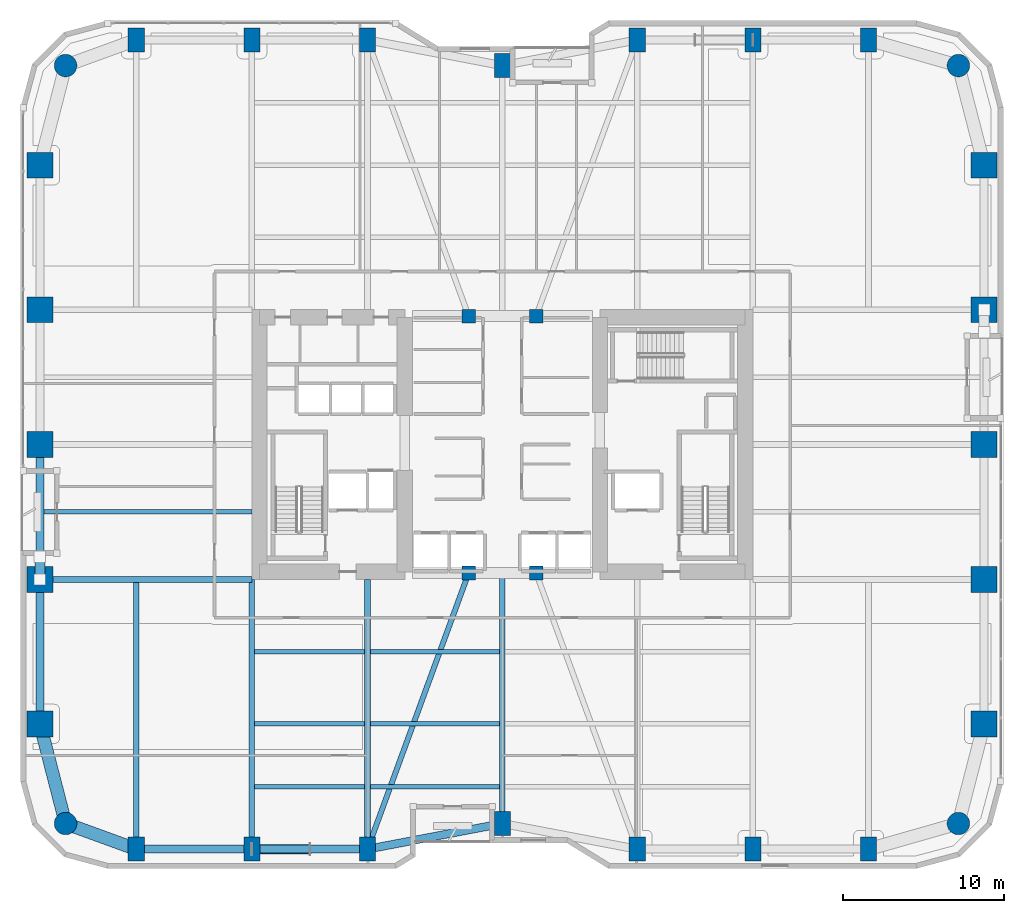
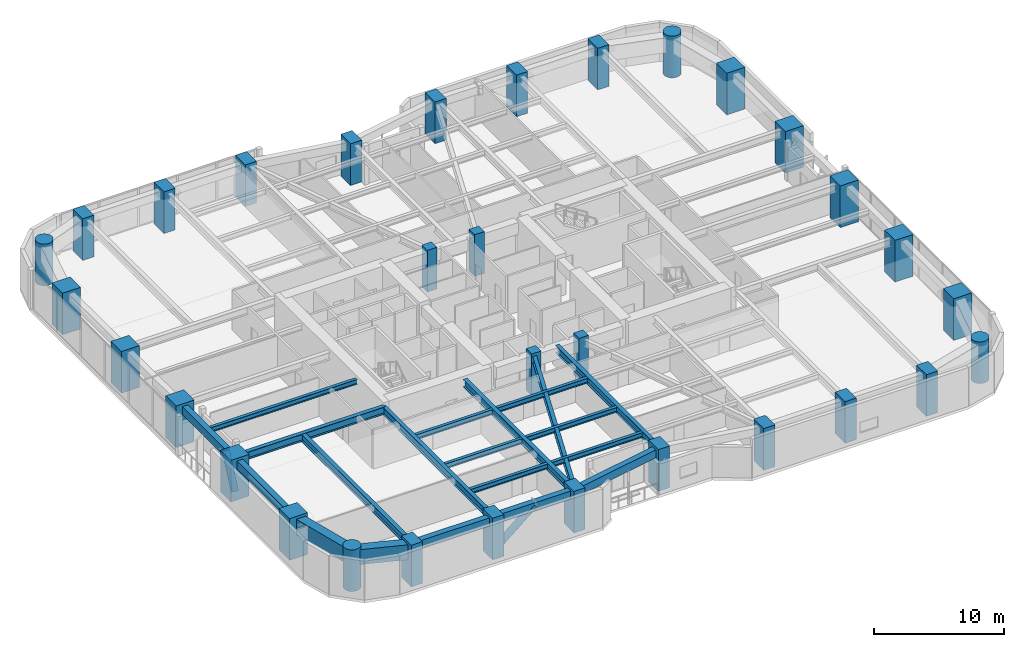
# One storey, part 1 of 28: 32 columns, 20 beams, 2 members.
"""IFC4 building model written with IfcOpenShell, lengths in metres."""

from ifc_helpers import new_model, si_unit, direction, frame, origin, origin_2d, place, context, subcontext, project, spatial, rectangle, circle, hollow_circle, i_section, extrude, material, material_profile, profile_set, type_object, element, save


model = new_model("IFC4")

# Units and contexts
model_context = context("Model", 3, precision=1e-05, world=origin(), true_north=direction((0.0, 1.0)))
body_context = subcontext(model_context, "Body", "Model", "MODEL_VIEW")
ifc_project = project(units=[si_unit("LENGTHUNIT", "METRE"), si_unit("AREAUNIT", "SQUARE_METRE"), si_unit("VOLUMEUNIT", "CUBIC_METRE"), si_unit("PLANEANGLEUNIT", "RADIAN"), si_unit("MASSUNIT", "GRAM", prefix="KILO")], contexts=[model_context])

# Site, building, storey
site_placement = place(None, origin())
site = spatial("IfcSite", under=ifc_project, at=site_placement, CompositionType="ELEMENT")
building_placement = place(site_placement, origin())
building = spatial("IfcBuilding", under=site, at=building_placement, Name="Kiyonajd Concourse Tower", CompositionType="ELEMENT")
storey_placement = place(building_placement, frame((0.0, 0.0, 41.10009765625)))
storey = spatial("IfcBuildingStorey", under=building, at=storey_placement, Name="L11", CompositionType="ELEMENT", Elevation=41.10009765625)

# Columns
ifc_material_1 = material(Name="Concrete C80/95", Category="concrete")
ifc_material_profile_1 = material_profile(ifc_material_1, rectangle(XDim=1.0, YDim=1.5, at=origin_2d()), Name="RC-1500x1000")
ifc_profile_set_1 = profile_set([ifc_material_profile_1], Name="Concrete C80/95")
column_type_1 = type_object("IfcColumnType", Name="CL-BLADE-1500", PredefinedType="COLUMN", material=ifc_profile_set_1)
for number, where, z_axis, x_axis, name in (
    (1, (25.199951171875, 10.800048828125, 0.0), (0.0, 0.0, 1.0), (1.0, 0.0, 0.0), "L11 Perimeter Bundled Tube Column"),
    (2, (25.199951171875, 61.199951171875, 0.0), (0.0, 0.0, 1.0), (1.0, 0.0, 0.0), "L11 Perimeter Bundled Tube Column"),
    (3, (32.39990234375, 10.800048828125, 0.0), (0.0, 0.0, 1.0), (1.0, 0.0, 0.0), "L11 Perimeter Bundled Tube Column"),
    (4, (32.39990234375, 61.199951171875, 0.0), (0.0, 0.0, 1.0), (1.0, 0.0, 0.0), "L11 Perimeter Bundled Tube Column"),
    (5, (39.60009765625, 10.800048828125, 0.0), (0.0, 0.0, 1.0), (1.0, 0.0, 0.0), "L11 Perimeter Bundled Tube Column"),
    (6, (39.60009765625, 61.199951171875, 0.0), (0.0, 0.0, 1.0), (1.0, 0.0, 0.0), "L11 Perimeter Bundled Tube Column"),
    (7, (48.0, 12.39990234375, 0.0), (0.0, 0.0, 1.0), (1.0, 0.0, 0.0), "L11 Perimeter Bundled Tube Column"),
    (8, (48.0, 59.60009765625, 0.0), (0.0, 0.0, 1.0), (1.0, 0.0, 0.0), "L11 Perimeter Bundled Tube Column"),
    (9, (56.39990234375, 10.800048828125, 0.0), (0.0, 0.0, 1.0), (1.0, 0.0, 0.0), "L11 Perimeter Bundled Tube Column"),
    (10, (56.39990234375, 61.199951171875, 0.0), (0.0, 0.0, 1.0), (1.0, 0.0, 0.0), "L11 Perimeter Bundled Tube Column"),
    (11, (63.60009765625, 10.800048828125, 0.0), (0.0, 0.0, 1.0), (1.0, 0.0, 0.0), "L11 Perimeter Bundled Tube Column"),
    (12, (63.60009765625, 61.199951171875, 0.0), (0.0, 0.0, 1.0), (1.0, 0.0, 0.0), "L11 Perimeter Bundled Tube Column"),
    (13, (70.800048828125, 10.800048828125, 0.0), (0.0, 0.0, 1.0), (1.0, 0.0, 0.0), "L11 Perimeter Bundled Tube Column"),
    (14, (70.800048828125, 61.199951171875, 0.0), (0.0, 0.0, 1.0), (1.0, 0.0, 0.0), "L11 Perimeter Bundled Tube Column"),
):
    element("IfcColumn", number, at=place(storey_placement, frame(where, z_axis=z_axis, x_axis=x_axis)), inside=storey, type_object=column_type_1, Name=name, PredefinedType="COLUMN", context=body_context, shape_type="SweptSolid", body=[
        extrude(rectangle(XDim=1.0, YDim=1.5, at=origin_2d()), origin(), (0.0, 0.0, 1.0), 3.89990234375),
    ])
ifc_material_profile_2 = material_profile(ifc_material_1, circle(Radius=0.699951171875, at=origin_2d()), Name="RCC-D1400")
ifc_profile_set_2 = profile_set([ifc_material_profile_2], Name="Concrete C80/95")
column_type_2 = type_object("IfcColumnType", Name="CL-RND-1400", PredefinedType="COLUMN", material=ifc_profile_set_2)
for number, where, z_axis, x_axis, name in (
    (15, (20.800048828125, 12.39990234375, 0.0), (0.0, 0.0, 1.0), (1.0, 0.0, 0.0), "L11 Bundled Tube Corner Column South West"),
    (16, (76.39990234375, 12.39990234375, 0.0), (0.0, 0.0, 1.0), (1.0, 0.0, 0.0), "L11 Bundled Tube Corner Column South East"),
    (17, (76.39990234375, 59.60009765625, 0.0), (0.0, 0.0, 1.0), (1.0, 0.0, 0.0), "L11 Bundled Tube Corner Column North East"),
    (18, (20.800048828125, 59.60009765625, 0.0), (0.0, 0.0, 1.0), (1.0, 0.0, 0.0), "L11 Bundled Tube Corner Column North West"),
):
    element("IfcColumn", number, at=place(storey_placement, frame(where, z_axis=z_axis, x_axis=x_axis)), inside=storey, type_object=column_type_2, Name=name, PredefinedType="COLUMN", context=body_context, shape_type="SweptSolid", body=[
        extrude(circle(Radius=0.699951171875, at=origin_2d()), origin(), (0.0, 0.0, 1.0), 3.89990234375),
    ])
ifc_material_profile_3 = material_profile(ifc_material_1, rectangle(XDim=1.60009765625, YDim=1.60009765625, at=origin_2d()), Name="RC-1600x1600")
ifc_profile_set_3 = profile_set([ifc_material_profile_3], Name="Concrete C80/95")
column_type_3 = type_object("IfcColumnType", Name="CL-TUBE-1600", PredefinedType="COLUMN", material=ifc_profile_set_3)
for number, where, z_axis, x_axis, name in (
    (19, (19.199951171875, 18.60009765625, 0.0), (0.0, 0.0, 1.0), (1.0, 0.0, 0.0), "L11 Perimeter Bundled Tube Column"),
    (20, (78.0, 18.60009765625, 0.0), (0.0, 0.0, 1.0), (1.0, 0.0, 0.0), "L11 Perimeter Bundled Tube Column"),
    (21, (19.199951171875, 27.60009765625, 0.0), (0.0, 0.0, 1.0), (1.0, 0.0, 0.0), "L11 Perimeter Bundled Tube Column"),
    (22, (78.0, 27.60009765625, 0.0), (0.0, 0.0, 1.0), (1.0, 0.0, 0.0), "L11 Perimeter Bundled Tube Column"),
    (23, (19.199951171875, 36.0, 0.0), (0.0, 0.0, 1.0), (1.0, 0.0, 0.0), "L11 Perimeter Bundled Tube Column"),
    (24, (78.0, 36.0, 0.0), (0.0, 0.0, 1.0), (1.0, 0.0, 0.0), "L11 Perimeter Bundled Tube Column"),
    (25, (19.199951171875, 44.39990234375, 0.0), (0.0, 0.0, 1.0), (1.0, 0.0, 0.0), "L11 Perimeter Bundled Tube Column"),
    (26, (78.0, 44.39990234375, 0.0), (0.0, 0.0, 1.0), (1.0, 0.0, 0.0), "L11 Perimeter Bundled Tube Column"),
    (27, (19.199951171875, 53.39990234375, 0.0), (0.0, 0.0, 1.0), (1.0, 0.0, 0.0), "L11 Perimeter Bundled Tube Column"),
    (28, (78.0, 53.39990234375, 0.0), (0.0, 0.0, 1.0), (1.0, 0.0, 0.0), "L11 Perimeter Bundled Tube Column"),
):
    element("IfcColumn", number, at=place(storey_placement, frame(where, z_axis=z_axis, x_axis=x_axis)), inside=storey, type_object=column_type_3, Name=name, PredefinedType="COLUMN", context=body_context, shape_type="SweptSolid", body=[
        extrude(rectangle(XDim=1.60009765625, YDim=1.60009765625, at=origin_2d()), origin(), (0.0, 0.0, 1.0), 3.89990234375),
    ])
ifc_material_2 = material(Name="Concrete C60/75", Category="concrete")
ifc_material_profile_4 = material_profile(ifc_material_2, rectangle(XDim=0.85009765625, YDim=0.85009765625, at=origin_2d()), Name="RC-850x850")
ifc_profile_set_4 = profile_set([ifc_material_profile_4], Name="Concrete C60/75")
column_type_4 = type_object("IfcColumnType", Name="CL-TUBE-850", PredefinedType="COLUMN", material=ifc_profile_set_4)
for number, where, z_axis, x_axis, name in (
    (29, (45.89990234375, 28.0, 0.0), (0.0, 0.0, 1.0), (1.0, 0.0, 0.0), "L11 Core Tie Column South West"),
    (30, (50.10009765625, 28.0, 0.0), (0.0, 0.0, 1.0), (1.0, 0.0, 0.0), "L11 Core Tie Column South East"),
    (31, (45.89990234375, 44.0, 0.0), (0.0, 0.0, 1.0), (1.0, 0.0, 0.0), "L11 Core Tie Column North West"),
    (32, (50.10009765625, 44.0, 0.0), (0.0, 0.0, 1.0), (1.0, 0.0, 0.0), "L11 Core Tie Column North East"),
):
    element("IfcColumn", number, at=place(storey_placement, frame(where, z_axis=z_axis, x_axis=x_axis)), inside=storey, type_object=column_type_4, Name=name, PredefinedType="COLUMN", context=body_context, shape_type="SweptSolid", body=[
        extrude(rectangle(XDim=0.85009765625, YDim=0.85009765625, at=origin_2d()), origin(), (0.0, 0.0, 1.0), 3.89990234375),
    ])

# Beams
ifc_material_3 = material(Name="Steel ASTM A992 Grade 50", Category="steel")
ifc_material_profile_5 = material_profile(ifc_material_3, i_section(OverallWidth=0.280029296875, OverallDepth=0.462890625, WebThickness=0.0107421875, FlangeThickness=0.017333984375, at=origin_2d()), Name="W460X113")
ifc_profile_set_5 = profile_set([ifc_material_profile_5], Name="Steel ASTM A992 Grade 50")
beam_type_1 = type_object("IfcBeamType", Name="BM-JST-460A", PredefinedType="JOIST", material=ifc_profile_set_5)
beam_1_placement = place(storey_placement, frame((32.577392578125, 14.699951171875, 3.408447265625), z_axis=(1.0, 0.0, 0.0), x_axis=(0.0, 1.0, 0.0)))
element("IfcBeam", 33, at=beam_1_placement, inside=storey, type_object=beam_type_1, Name="L11 Secondary Floor Joist", PredefinedType="JOIST", context=body_context, shape_type="SweptSolid", body=[
    extrude(i_section(OverallWidth=0.280029296875, OverallDepth=0.462890625, WebThickness=0.0107421875, FlangeThickness=0.017333984375, at=origin_2d()), origin(), (0.0, 0.0, 1.0), 6.84521484375),
])
beam_2_placement = place(storey_placement, frame((39.777587890625, 14.699951171875, 3.408447265625), z_axis=(1.0, 0.0, 0.0), x_axis=(0.0, 1.0, 0.0)))
element("IfcBeam", 34, at=beam_2_placement, inside=storey, type_object=beam_type_1, Name="L11 Secondary Floor Joist", PredefinedType="JOIST", context=body_context, shape_type="SweptSolid", body=[
    extrude(i_section(OverallWidth=0.280029296875, OverallDepth=0.462890625, WebThickness=0.0107421875, FlangeThickness=0.017333984375, at=origin_2d()), origin(), (0.0, 0.0, 1.0), 8.044921875),
])
beam_3_placement = place(storey_placement, frame((32.577392578125, 18.60009765625, 3.408447265625), z_axis=(1.0, 0.0, 0.0), x_axis=(0.0, 1.0, 0.0)))
element("IfcBeam", 35, at=beam_3_placement, inside=storey, type_object=beam_type_1, Name="L11 Secondary Floor Joist", PredefinedType="JOIST", context=body_context, shape_type="SweptSolid", body=[
    extrude(i_section(OverallWidth=0.280029296875, OverallDepth=0.462890625, WebThickness=0.0107421875, FlangeThickness=0.017333984375, at=origin_2d()), origin(), (0.0, 0.0, 1.0), 6.84521484375),
])
beam_4_placement = place(storey_placement, frame((39.777587890625, 18.60009765625, 3.408447265625), z_axis=(1.0, 0.0, 0.0), x_axis=(0.0, 1.0, 0.0)))
element("IfcBeam", 36, at=beam_4_placement, inside=storey, type_object=beam_type_1, Name="L11 Secondary Floor Joist", PredefinedType="JOIST", context=body_context, shape_type="SweptSolid", body=[
    extrude(i_section(OverallWidth=0.280029296875, OverallDepth=0.462890625, WebThickness=0.0107421875, FlangeThickness=0.017333984375, at=origin_2d()), origin(), (0.0, 0.0, 1.0), 8.044921875),
])
beam_5_placement = place(storey_placement, frame((32.577392578125, 23.10009765625, 3.408447265625), z_axis=(1.0, 0.0, 0.0), x_axis=(0.0, 1.0, 0.0)))
element("IfcBeam", 37, at=beam_5_placement, inside=storey, type_object=beam_type_1, Name="L11 Secondary Floor Joist", PredefinedType="JOIST", context=body_context, shape_type="SweptSolid", body=[
    extrude(i_section(OverallWidth=0.280029296875, OverallDepth=0.462890625, WebThickness=0.0107421875, FlangeThickness=0.017333984375, at=origin_2d()), origin(), (0.0, 0.0, 1.0), 6.84521484375),
])
beam_6_placement = place(storey_placement, frame((39.777587890625, 23.10009765625, 3.408447265625), z_axis=(1.0, 0.0, 0.0), x_axis=(0.0, 1.0, 0.0)))
element("IfcBeam", 38, at=beam_6_placement, inside=storey, type_object=beam_type_1, Name="L11 Secondary Floor Joist", PredefinedType="JOIST", context=body_context, shape_type="SweptSolid", body=[
    extrude(i_section(OverallWidth=0.280029296875, OverallDepth=0.462890625, WebThickness=0.0107421875, FlangeThickness=0.017333984375, at=origin_2d()), origin(), (0.0, 0.0, 1.0), 8.044921875),
])
beam_7_placement = place(storey_placement, frame((19.449951171875, 31.800048828125, 3.408447265625), z_axis=(1.0, 0.0, 0.0), x_axis=(0.0, 1.0, 0.0)))
element("IfcBeam", 39, at=beam_7_placement, inside=storey, type_object=beam_type_1, Name="L11 West Secondary Floor Joist", PredefinedType="JOIST", context=body_context, shape_type="SweptSolid", body=[
    extrude(i_section(OverallWidth=0.280029296875, OverallDepth=0.462890625, WebThickness=0.0107421875, FlangeThickness=0.017333984375, at=origin_2d()), origin(), (0.0, 0.0, 1.0), 12.949951171875),
])
ifc_material_4 = material(Name="Precast concrete C50/60", Category="concrete")
ifc_material_profile_6 = material_profile(ifc_material_4, rectangle(XDim=0.5, YDim=0.75, at=origin_2d()), Name="RCBM-500x750")
ifc_profile_set_6 = profile_set([ifc_material_profile_6], Name="Precast concrete C50/60")
beam_type_2 = type_object("IfcBeamType", Name="BM-SPAN-RC", PredefinedType="SPANDREL", material=ifc_profile_set_6)
beam_8_placement = place(storey_placement, frame((19.199951171875, 27.60009765625, 3.264892578125), z_axis=(0.0, -1.0, 0.0), x_axis=(1.0, 0.0, 0.0)))
element("IfcBeam", 40, at=beam_8_placement, inside=storey, type_object=beam_type_2, Name="L11 Perimeter Bundled Tube Spandrel", PredefinedType="SPANDREL", context=body_context, shape_type="SweptSolid", body=[
    extrude(rectangle(XDim=0.5, YDim=0.75, at=origin_2d()), origin(), (0.0, 0.0, 1.0), 9.0),
])
beam_9_placement = place(storey_placement, frame((25.199951171875, 10.800048828125, 3.264892578125), z_axis=(1.0, 0.0, 0.0), x_axis=(0.0, 1.0, 0.0)))
element("IfcBeam", 41, at=beam_9_placement, inside=storey, type_object=beam_type_2, Name="L11 Perimeter Bundled Tube Spandrel", PredefinedType="SPANDREL", context=body_context, shape_type="SweptSolid", body=[
    extrude(rectangle(XDim=0.5, YDim=0.75, at=origin_2d()), origin(), (0.0, 0.0, 1.0), 7.199951171875),
])
beam_10_placement = place(storey_placement, frame((32.39990234375, 10.800048828125, 3.264892578125), z_axis=(1.0, 0.0, 0.0), x_axis=(0.0, 1.0, 0.0)))
element("IfcBeam", 42, at=beam_10_placement, inside=storey, type_object=beam_type_2, Name="L11 Perimeter Bundled Tube Spandrel", PredefinedType="SPANDREL", context=body_context, shape_type="SweptSolid", body=[
    extrude(rectangle(XDim=0.5, YDim=0.75, at=origin_2d()), origin(), (0.0, 0.0, 1.0), 7.2001953125),
])
beam_11_placement = place(storey_placement, frame((39.60009765625, 10.800048828125, 3.264892578125), z_axis=(0.982341315253, 0.187097675953, 0.0), x_axis=(-0.187097675953, 0.982341315253, 0.0)))
element("IfcBeam", 43, at=beam_11_placement, inside=storey, type_object=beam_type_2, Name="L11 Perimeter Bundled Tube Spandrel", PredefinedType="SPANDREL", context=body_context, shape_type="SweptSolid", body=[
    extrude(rectangle(XDim=0.5, YDim=0.75, at=origin_2d()), origin(), (0.0, 0.0, 1.0), 8.55078125),
])
beam_12_placement = place(storey_placement, frame((19.199951171875, 36.0, 3.264892578125), z_axis=(0.0, -1.0, 0.0), x_axis=(1.0, 0.0, 0.0)))
element("IfcBeam", 44, at=beam_12_placement, inside=storey, type_object=beam_type_2, Name="L11 Perimeter Bundled Tube Spandrel", PredefinedType="SPANDREL", context=body_context, shape_type="SweptSolid", body=[
    extrude(rectangle(XDim=0.5, YDim=0.75, at=origin_2d()), origin(), (0.0, 0.0, 1.0), 8.39990234375),
])
ifc_material_profile_7 = material_profile(ifc_material_3, i_section(OverallWidth=0.326904296875, OverallDepth=0.6220703125, WebThickness=0.015380859375, FlangeThickness=0.0244140625, at=origin_2d()), Name="W610X195")
ifc_profile_set_7 = profile_set([ifc_material_profile_7], Name="Steel ASTM A992 Grade 50")
beam_type_3 = type_object("IfcBeamType", Name="BM-TWR-610A", PredefinedType="BEAM", material=ifc_profile_set_7)
beam_13_placement = place(storey_placement, frame((39.60009765625, 10.800048828125, 3.328857421875), z_axis=(0.343925269715, 0.938997022813, 0.0), x_axis=(-0.938997022813, 0.343925269715, 0.0)))
element("IfcBeam", 45, at=beam_13_placement, inside=storey, type_object=beam_type_3, Name="L11 Core Tie Girder", PredefinedType="BEAM", context=body_context, shape_type="SweptSolid", body=[
    extrude(i_section(OverallWidth=0.326904296875, OverallDepth=0.6220703125, WebThickness=0.015380859375, FlangeThickness=0.0244140625, at=origin_2d()), origin(), (0.0, 0.0, 1.0), 18.3173828125),
])
ifc_material_profile_8 = material_profile(ifc_material_3, i_section(OverallWidth=0.35498046875, OverallDepth=0.695068359375, WebThickness=0.015380859375, FlangeThickness=0.02490234375, at=origin_2d()), Name="W690X217")
ifc_profile_set_8 = profile_set([ifc_material_profile_8], Name="Steel ASTM A992 Grade 50")
beam_type_4 = type_object("IfcBeamType", Name="BM-TWR-690", PredefinedType="BEAM", material=ifc_profile_set_8)
for number, where, z_axis, x_axis, name in (
    (46, (25.199951171875, 10.800048828125, 3.29248046875), (0.0, 1.0, 0.0), (-1.0, 0.0, 0.0), "L11 South Lease Girder"),
    (47, (32.39990234375, 10.800048828125, 3.29248046875), (0.0, 1.0, 0.0), (-1.0, 0.0, 0.0), "L11 South Lease Girder"),
    (48, (39.60009765625, 10.800048828125, 3.29248046875), (0.0, 1.0, 0.0), (-1.0, 0.0, 0.0), "L11 South Lease Girder"),
):
    element("IfcBeam", number, at=place(storey_placement, frame(where, z_axis=z_axis, x_axis=x_axis)), inside=storey, type_object=beam_type_4, Name=name, PredefinedType="BEAM", context=body_context, shape_type="SweptSolid", body=[
        extrude(i_section(OverallWidth=0.35498046875, OverallDepth=0.695068359375, WebThickness=0.015380859375, FlangeThickness=0.02490234375, at=origin_2d()), origin(), (0.0, 0.0, 1.0), 16.800048828125),
    ])
beam_14_placement = place(storey_placement, frame((48.0, 12.39990234375, 3.29248046875), z_axis=(0.0, 1.0, 0.0), x_axis=(-1.0, 0.0, 0.0)))
element("IfcBeam", 49, at=beam_14_placement, inside=storey, type_object=beam_type_4, Name="L11 South Ribbon Girder", PredefinedType="BEAM", context=body_context, shape_type="SweptSolid", body=[
    extrude(i_section(OverallWidth=0.35498046875, OverallDepth=0.695068359375, WebThickness=0.015380859375, FlangeThickness=0.02490234375, at=origin_2d()), origin(), (0.0, 0.0, 1.0), 15.60009765625),
])
beam_15_placement = place(storey_placement, frame((19.199951171875, 27.60009765625, 3.29248046875), z_axis=(1.0, 0.0, 0.0), x_axis=(0.0, 1.0, 0.0)))
element("IfcBeam", 50, at=beam_15_placement, inside=storey, type_object=beam_type_4, Name="L11 West Lease Girder", PredefinedType="BEAM", context=body_context, shape_type="SweptSolid", body=[
    extrude(i_section(OverallWidth=0.35498046875, OverallDepth=0.695068359375, WebThickness=0.015380859375, FlangeThickness=0.02490234375, at=origin_2d()), origin(), (0.0, 0.0, 1.0), 13.199951171875),
])
ifc_material_profile_9 = material_profile(ifc_material_2, rectangle(XDim=0.800048828125, YDim=1.39990234375, at=origin_2d()), Name="RCBM-800x1400")
ifc_profile_set_9 = profile_set([ifc_material_profile_9], Name="Concrete C60/75")
beam_type_5 = type_object("IfcBeamType", Name="BM-XFER-RC", PredefinedType="BEAM", material=ifc_profile_set_9)
beam_16_placement = place(storey_placement, frame((19.199951171875, 18.60009765625, 2.93994140625), z_axis=(0.249884937687, -0.968275538221, 0.0), x_axis=(0.968275538221, 0.249884937687, 0.0)))
element("IfcBeam", 51, at=beam_16_placement, inside=storey, type_object=beam_type_5, Name="L11 Perimeter Bundled Tube Spandrel", PredefinedType="BEAM", context=body_context, shape_type="SweptSolid", body=[
    extrude(rectangle(XDim=0.800048828125, YDim=1.39990234375, at=origin_2d()), origin(), (0.0, 0.0, 1.0), 6.4033203125),
])
beam_17_placement = place(storey_placement, frame((20.800048828125, 12.39990234375, 2.93994140625), z_axis=(0.939801036019, -0.341722127901, 0.0), x_axis=(0.341722127901, 0.939801036019, 0.0)))
element("IfcBeam", 52, at=beam_17_placement, inside=storey, type_object=beam_type_5, Name="L11 Perimeter Bundled Tube Spandrel", PredefinedType="BEAM", context=body_context, shape_type="SweptSolid", body=[
    extrude(rectangle(XDim=0.800048828125, YDim=1.39990234375, at=origin_2d()), origin(), (0.0, 0.0, 1.0), 4.681640625),
])

# Members
ifc_material_5 = material(Name="Steel ASTM A572 Grade 50", Category="steel")
ifc_material_profile_10 = material_profile(ifc_material_5, hollow_circle(Radius=0.304931640625, WallThickness=0.02490234375, at=origin_2d()), Name="CHS-610x25")
ifc_profile_set_10 = profile_set([ifc_material_profile_10], Name="Steel ASTM A572 Grade 50")
member_type = type_object("IfcMemberType", Name="MB-PB-LOW", PredefinedType="BRACE", material=ifc_profile_set_10)
member_1_placement = place(storey_placement, frame((32.39990234375, 10.800048828125, 0.2998046875), z_axis=(0.769280705518, 0.0, 0.638910945373), x_axis=(0.0, 1.0, 0.0)))
element("IfcMember", 53, at=member_1_placement, inside=storey, type_object=member_type, Name="L11 Lower Zone Welded Tube Brace PBS", PredefinedType="BRACE", context=body_context, shape_type="SweptSolid", body=[
    extrude(hollow_circle(Radius=0.304931640625, WallThickness=0.02490234375, at=origin_2d()), origin(), (0.0, 0.0, 1.0), 4.679931640625),
])
member_2_placement = place(storey_placement, frame((19.199951171875, 27.60009765625, 0.2998046875), z_axis=(0.0, 0.424022702926, 0.905651559598), x_axis=(-1.0, 0.0, 0.0)))
element("IfcMember", 54, at=member_2_placement, inside=storey, type_object=member_type, Name="L11 Lower Zone Welded Tube Brace PBW", PredefinedType="BRACE", context=body_context, shape_type="SweptSolid", body=[
    extrude(hollow_circle(Radius=0.304931640625, WallThickness=0.02490234375, at=origin_2d()), origin(), (0.0, 0.0, 1.0), 3.301513671875),
])

save(model, "model.ifc")
